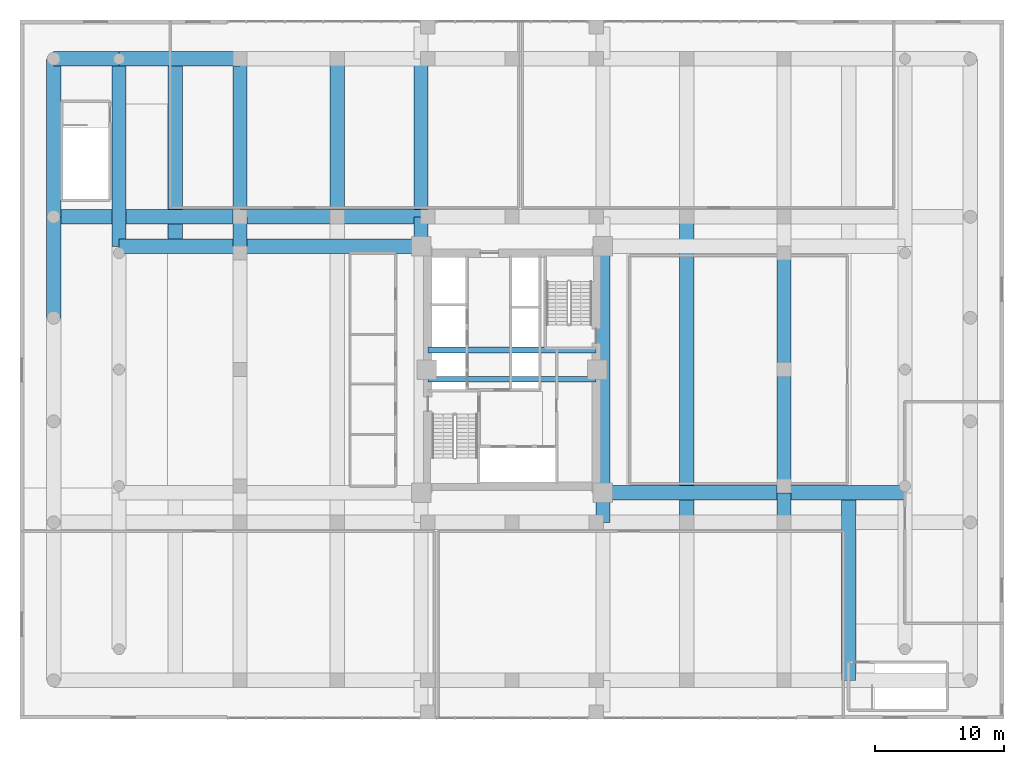
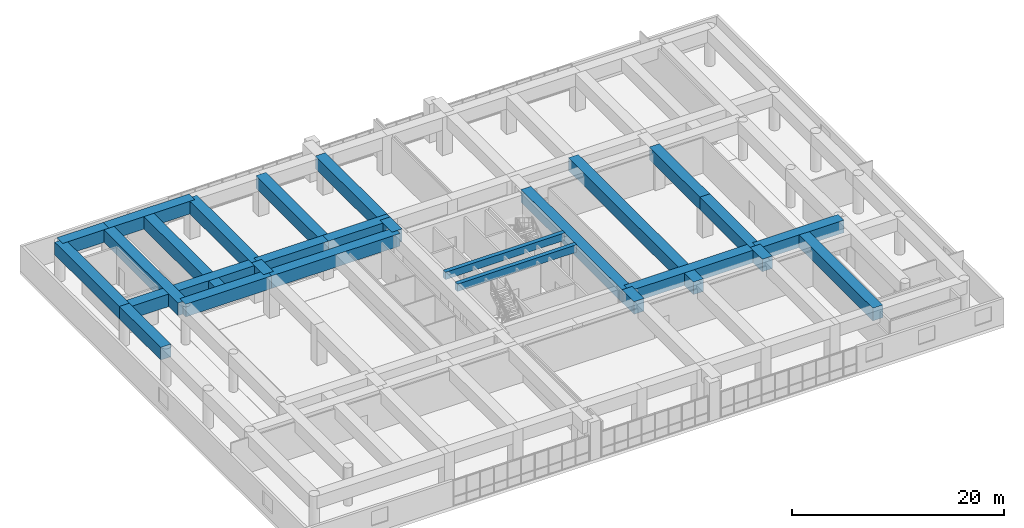
# One storey, part 9 of 28: 27 beams.
"""IFC4 building model written with IfcOpenShell, lengths in metres."""

from ifc_helpers import new_model, si_unit, direction, frame, origin, origin_2d, place, context, subcontext, project, spatial, rectangle, extrude, source, transform, mapped, material, material_profile, profile_set, type_object, element, save


model = new_model("IFC4")

# Units and contexts
model_context = context("Model", 3, precision=1e-05, world=origin(), true_north=direction((0.0, 1.0)))
body_context = subcontext(model_context, "Body", "Model", "MODEL_VIEW")
ifc_project = project(units=[si_unit("LENGTHUNIT", "METRE"), si_unit("AREAUNIT", "SQUARE_METRE"), si_unit("VOLUMEUNIT", "CUBIC_METRE"), si_unit("PLANEANGLEUNIT", "RADIAN"), si_unit("MASSUNIT", "GRAM", prefix="KILO")], contexts=[model_context])

# Site, building, storey
site_placement = place(None, origin())
site = spatial("IfcSite", under=ifc_project, at=site_placement, CompositionType="ELEMENT")
building_placement = place(site_placement, origin())
building = spatial("IfcBuilding", under=site, at=building_placement, Name="Saelheon Loggia Tower", CompositionType="ELEMENT")
storey_placement = place(building_placement, frame((0.0, 0.0, 15.0)))
storey = spatial("IfcBuildingStorey", under=building, at=storey_placement, Name="L04", CompositionType="ELEMENT", Elevation=15.0)

# Beams
ifc_material = material(Name="Concrete C50/60", Category="concrete")
ifc_material_profile_1 = material_profile(ifc_material, rectangle(XDim=0.449951171875, YDim=0.85009765625, at=origin_2d()), Name="RC-450x850")
ifc_profile_set_1 = profile_set([ifc_material_profile_1], Name="Concrete C50/60")
beam_type_1 = type_object("IfcBeamType", Name="Beam_CoreLintel_RC450x850", PredefinedType="LINTEL", material=ifc_profile_set_1)
shared_shape_1 = source(origin(), body_context, "Body", "SweptSolid", [
    extrude(rectangle(XDim=0.449951171875, YDim=0.85009765625, at=origin_2d()), origin(), (0.0, 0.0, 1.0), 13.0),
])
for number, where, z_axis, x_axis, name in (
    (1, (31.5, 26.25, 3.97509765625), (1.0, 0.0, 0.0), (0.0, 1.0, 0.0), "L04 Core Coupling Lintel 1"),
    (2, (31.5, 28.5, 3.97509765625), (1.0, 0.0, 0.0), (0.0, 1.0, 0.0), "L04 Core Coupling Lintel 2"),
):
    element("IfcBeam", number, at=place(storey_placement, frame(where, z_axis=z_axis, x_axis=x_axis)), inside=storey, type_object=beam_type_1, Name=name, PredefinedType="LINTEL", context=body_context, shape_type="MappedRepresentation", body=[
        mapped(shared_shape_1, transform((0.0, 0.0, 0.0), scale=1.0)),
    ])
ifc_material_profile_2 = material_profile(ifc_material, rectangle(XDim=1.10009765625, YDim=1.449951171875, at=origin_2d()), Name="RC-1100x1450")
ifc_profile_set_2 = profile_set([ifc_material_profile_2], Name="Concrete C50/60")
beam_type_2 = type_object("IfcBeamType", Name="Beam_Transfer_RC1100x1450", PredefinedType="BEAM", material=ifc_profile_set_2)
shared_shape_2 = source(origin(), body_context, "Body", "SweptSolid", [
    extrude(rectangle(XDim=1.10009765625, YDim=1.449951171875, at=origin_2d()), origin(), (0.0, 0.0, 1.0), 14.39990234375),
])
beam_1_placement = place(storey_placement, frame((2.60009765625, 38.800048828125, 3.675048828125), z_axis=(1.0, 0.0, 0.0), x_axis=(0.0, 1.0, 0.0)))
element("IfcBeam", 3, at=beam_1_placement, inside=storey, type_object=beam_type_2, Name="BM-L04-EW-38-1", PredefinedType="BEAM", context=body_context, shape_type="MappedRepresentation", body=[
    mapped(shared_shape_2, transform((0.0, 0.0, 0.0), scale=1.0)),
])
shared_shape_3 = source(origin(), body_context, "Body", "SweptSolid", [
    extrude(rectangle(XDim=1.10009765625, YDim=1.449951171875, at=origin_2d()), origin(), (0.0, 0.0, 1.0), 7.5),
])
beam_2_placement = place(storey_placement, frame((17.0, 38.800048828125, 3.675048828125), z_axis=(1.0, 0.0, 0.0), x_axis=(0.0, 1.0, 0.0)))
element("IfcBeam", 4, at=beam_2_placement, inside=storey, type_object=beam_type_2, Name="BM-L04-EW-38-2", PredefinedType="BEAM", context=body_context, shape_type="MappedRepresentation", body=[
    mapped(shared_shape_3, transform((0.0, 0.0, 0.0), scale=1.0)),
])
shared_shape_4 = source(origin(), body_context, "Body", "SweptSolid", [
    extrude(rectangle(XDim=1.10009765625, YDim=1.449951171875, at=origin_2d()), origin(), (0.0, 0.0, 1.0), 7.0),
])
beam_3_placement = place(storey_placement, frame((24.5, 38.800048828125, 3.675048828125), z_axis=(1.0, 0.0, 0.0), x_axis=(0.0, 1.0, 0.0)))
element("IfcBeam", 5, at=beam_3_placement, inside=storey, type_object=beam_type_2, Name="BM-L04-EW-38-3", PredefinedType="BEAM", context=body_context, shape_type="MappedRepresentation", body=[
    mapped(shared_shape_4, transform((0.0, 0.0, 0.0), scale=1.0)),
])
shared_shape_5 = source(origin(), body_context, "Body", "SweptSolid", [
    extrude(rectangle(XDim=1.10009765625, YDim=1.449951171875, at=origin_2d()), origin(), (0.0, 0.0, 1.0), 5.0498046875),
])
beam_4_placement = place(storey_placement, frame((2.60009765625, 51.0, 3.675048828125), z_axis=(1.0, 0.0, 0.0), x_axis=(0.0, 1.0, 0.0)))
element("IfcBeam", 6, at=beam_4_placement, inside=storey, type_object=beam_type_2, Name="BM-L04-EW-51-1", PredefinedType="BEAM", context=body_context, shape_type="MappedRepresentation", body=[
    mapped(shared_shape_5, transform((0.0, 0.0, 0.0), scale=1.0)),
])
shared_shape_6 = source(origin(), body_context, "Body", "SweptSolid", [
    extrude(rectangle(XDim=1.10009765625, YDim=1.449951171875, at=origin_2d()), origin(), (0.0, 0.0, 1.0), 9.35009765625),
])
for number, where, z_axis, x_axis, name in (
    (7, (7.64990234375, 51.0, 3.675048828125), (1.0, 0.0, 0.0), (0.0, 1.0, 0.0), "BM-L04-EW-51-2"),
    (8, (59.0, 17.47998046875, 3.675048828125), (1.0, 0.0, 0.0), (0.0, 1.0, 0.0), "BM-L04-CT-17-E1"),
    (9, (7.64990234375, 36.52001953125, 3.675048828125), (1.0, 0.0, 0.0), (0.0, 1.0, 0.0), "BM-L04-CT-36-W1"),
):
    element("IfcBeam", number, at=place(storey_placement, frame(where, z_axis=z_axis, x_axis=x_axis)), inside=storey, type_object=beam_type_2, Name=name, PredefinedType="BEAM", context=body_context, shape_type="MappedRepresentation", body=[
        mapped(shared_shape_6, transform((0.0, 0.0, 0.0), scale=1.0)),
    ])
shared_shape_7 = source(origin(), body_context, "Body", "SweptSolid", [
    extrude(rectangle(XDim=1.10009765625, YDim=1.449951171875, at=origin_2d()), origin(), (0.0, 0.0, 1.0), 13.97998046875),
])
for number, where, z_axis, x_axis, name in (
    (10, (45.02001953125, 17.47998046875, 3.675048828125), (1.0, 0.0, 0.0), (0.0, 1.0, 0.0), "BM-L04-CT-17-E2"),
    (11, (17.0, 36.52001953125, 3.675048828125), (1.0, 0.0, 0.0), (0.0, 1.0, 0.0), "BM-L04-CT-36-W2"),
):
    element("IfcBeam", number, at=place(storey_placement, frame(where, z_axis=z_axis, x_axis=x_axis)), inside=storey, type_object=beam_type_2, Name=name, PredefinedType="BEAM", context=body_context, shape_type="MappedRepresentation", body=[
        mapped(shared_shape_7, transform((0.0, 0.0, 0.0), scale=1.0)),
    ])
ifc_material_profile_3 = material_profile(ifc_material, rectangle(XDim=1.10009765625, YDim=1.449951171875, at=origin_2d()), Name="RC-1100x1450")
ifc_profile_set_3 = profile_set([ifc_material_profile_3], Name="Concrete C50/60")
beam_type_3 = type_object("IfcBeamType", Name="Beam_PerimTransfer_RC1100x1450", PredefinedType="BEAM", material=ifc_profile_set_3)
shared_shape_8 = source(origin(), body_context, "Body", "SweptSolid", [
    extrude(rectangle(XDim=1.10009765625, YDim=1.449951171875, at=origin_2d()), origin(), (0.0, 0.0, 1.0), 12.199951171875),
])
beam_5_placement = place(storey_placement, frame((2.60009765625, 38.800048828125, 3.675048828125), z_axis=(0.0, 1.0, 0.0), x_axis=(-1.0, 0.0, 0.0)))
element("IfcBeam", 12, at=beam_5_placement, inside=storey, type_object=beam_type_3, Name="BM-L04-NS-2-5", PredefinedType="BEAM", context=body_context, shape_type="MappedRepresentation", body=[
    mapped(shared_shape_8, transform((0.0, 0.0, 0.0), scale=1.0)),
])
for number, where, z_axis, x_axis, name in (
    (13, (17.0, 38.800048828125, 3.675048828125), (0.0, 1.0, 0.0), (-1.0, 0.0, 0.0), "BM-L04-NS-17-6"),
    (14, (24.5, 38.800048828125, 3.675048828125), (0.0, 1.0, 0.0), (-1.0, 0.0, 0.0), "BM-L04-NS-24-3"),
    (15, (30.97998046875, 38.800048828125, 3.675048828125), (0.0, 1.0, 0.0), (-1.0, 0.0, 0.0), "BM-L04-NS-30-6"),
):
    element("IfcBeam", number, at=place(storey_placement, frame(where, z_axis=z_axis, x_axis=x_axis)), inside=storey, type_object=beam_type_2, Name=name, PredefinedType="BEAM", context=body_context, shape_type="MappedRepresentation", body=[
        mapped(shared_shape_8, transform((0.0, 0.0, 0.0), scale=1.0)),
    ])
shared_shape_9 = source(origin(), body_context, "Body", "SweptSolid", [
    extrude(rectangle(XDim=1.10009765625, YDim=1.449951171875, at=origin_2d()), origin(), (0.0, 0.0, 1.0), 7.800048828125),
])
beam_6_placement = place(storey_placement, frame((2.60009765625, 31.0, 3.675048828125), z_axis=(0.0, 1.0, 0.0), x_axis=(-1.0, 0.0, 0.0)))
element("IfcBeam", 16, at=beam_6_placement, inside=storey, type_object=beam_type_3, Name="BM-L04-NS-2-4", PredefinedType="BEAM", context=body_context, shape_type="MappedRepresentation", body=[
    mapped(shared_shape_9, transform((0.0, 0.0, 0.0), scale=1.0)),
])
shared_shape_10 = source(origin(), body_context, "Body", "SweptSolid", [
    extrude(rectangle(XDim=1.10009765625, YDim=1.449951171875, at=origin_2d()), origin(), (0.0, 0.0, 1.0), 9.52001953125),
])
for number, where, z_axis, x_axis, name in (
    (17, (59.0, 17.47998046875, 3.675048828125), (0.0, 1.0, 0.0), (-1.0, 0.0, 0.0), "BM-L04-NS-59-3"),
    (18, (59.0, 27.0, 3.675048828125), (0.0, 1.0, 0.0), (-1.0, 0.0, 0.0), "BM-L04-NS-59-4"),
):
    element("IfcBeam", number, at=place(storey_placement, frame(where, z_axis=z_axis, x_axis=x_axis)), inside=storey, type_object=beam_type_2, Name=name, PredefinedType="BEAM", context=body_context, shape_type="MappedRepresentation", body=[
        mapped(shared_shape_10, transform((0.0, 0.0, 0.0), scale=1.0)),
    ])
shared_shape_11 = source(origin(), body_context, "Body", "SweptSolid", [
    extrude(rectangle(XDim=1.10009765625, YDim=1.449951171875, at=origin_2d()), origin(), (0.0, 0.0, 1.0), 14.47998046875),
])
beam_7_placement = place(storey_placement, frame((7.64990234375, 36.52001953125, 3.675048828125), z_axis=(0.0, 1.0, 0.0), x_axis=(-1.0, 0.0, 0.0)))
element("IfcBeam", 19, at=beam_7_placement, inside=storey, type_object=beam_type_2, Name="BM-L04-NS-7-4", PredefinedType="BEAM", context=body_context, shape_type="MappedRepresentation", body=[
    mapped(shared_shape_11, transform((0.0, 0.0, 0.0), scale=1.0)),
])
shared_shape_12 = source(origin(), body_context, "Body", "SweptSolid", [
    extrude(rectangle(XDim=1.10009765625, YDim=1.449951171875, at=origin_2d()), origin(), (0.0, 0.0, 1.0), 2.280029296875),
])
for number, where, z_axis, x_axis, name in (
    (20, (17.0, 36.52001953125, 3.675048828125), (0.0, 1.0, 0.0), (-1.0, 0.0, 0.0), "BM-L04-NS-17-5"),
    (21, (30.97998046875, 36.52001953125, 3.675048828125), (0.0, 1.0, 0.0), (-1.0, 0.0, 0.0), "BM-L04-NS-30-5"),
    (22, (45.02001953125, 15.199951171875, 3.675048828125), (0.0, 1.0, 0.0), (-1.0, 0.0, 0.0), "BM-L04-NS-45-3"),
    (23, (59.0, 15.199951171875, 3.675048828125), (0.0, 1.0, 0.0), (-1.0, 0.0, 0.0), "BM-L04-NS-59-2"),
):
    element("IfcBeam", number, at=place(storey_placement, frame(where, z_axis=z_axis, x_axis=x_axis)), inside=storey, type_object=beam_type_2, Name=name, PredefinedType="BEAM", context=body_context, shape_type="MappedRepresentation", body=[
        mapped(shared_shape_12, transform((0.0, 0.0, 0.0), scale=1.0)),
    ])
shared_shape_13 = source(origin(), body_context, "Body", "SweptSolid", [
    extrude(rectangle(XDim=1.10009765625, YDim=1.449951171875, at=origin_2d()), origin(), (0.0, 0.0, 1.0), 23.60009765625),
])
beam_8_placement = place(storey_placement, frame((51.5, 15.199951171875, 3.675048828125), z_axis=(0.0, 1.0, 0.0), x_axis=(-1.0, 0.0, 0.0)))
element("IfcBeam", 24, at=beam_8_placement, inside=storey, type_object=beam_type_2, Name="BM-L04-NS-51-2", PredefinedType="BEAM", context=body_context, shape_type="MappedRepresentation", body=[
    mapped(shared_shape_13, transform((0.0, 0.0, 0.0), scale=1.0)),
])
shared_shape_14 = source(origin(), body_context, "Body", "SweptSolid", [
    extrude(rectangle(XDim=1.10009765625, YDim=1.449951171875, at=origin_2d()), origin(), (0.0, 0.0, 1.0), 19.0400390625),
])
beam_9_placement = place(storey_placement, frame((45.02001953125, 17.47998046875, 3.675048828125), z_axis=(0.0, 1.0, 0.0), x_axis=(-1.0, 0.0, 0.0)))
element("IfcBeam", 25, at=beam_9_placement, inside=storey, type_object=beam_type_2, Name="BM-L04-NS-45-4", PredefinedType="BEAM", context=body_context, shape_type="MappedRepresentation", body=[
    mapped(shared_shape_14, transform((0.0, 0.0, 0.0), scale=1.0)),
])
shared_shape_15 = source(origin(), body_context, "Body", "SweptSolid", [
    extrude(rectangle(XDim=1.10009765625, YDim=1.449951171875, at=origin_2d()), origin(), (0.0, 0.0, 1.0), 15.0),
])
for number, where, z_axis, x_axis, name in (
    (26, (12.0, 36.0, 3.675048828125), (0.0, 1.0, 0.0), (-1.0, 0.0, 0.0), "TG-L04-TW-N"),
    (27, (64.0, 3.0, 3.675048828125), (0.0, 1.0, 0.0), (-1.0, 0.0, 0.0), "TG-L04-TE-S"),
):
    element("IfcBeam", number, at=place(storey_placement, frame(where, z_axis=z_axis, x_axis=x_axis)), inside=storey, type_object=beam_type_2, Name=name, PredefinedType="BEAM", context=body_context, shape_type="MappedRepresentation", body=[
        mapped(shared_shape_15, transform((0.0, 0.0, 0.0), scale=1.0)),
    ])

save(model, "model.ifc")
